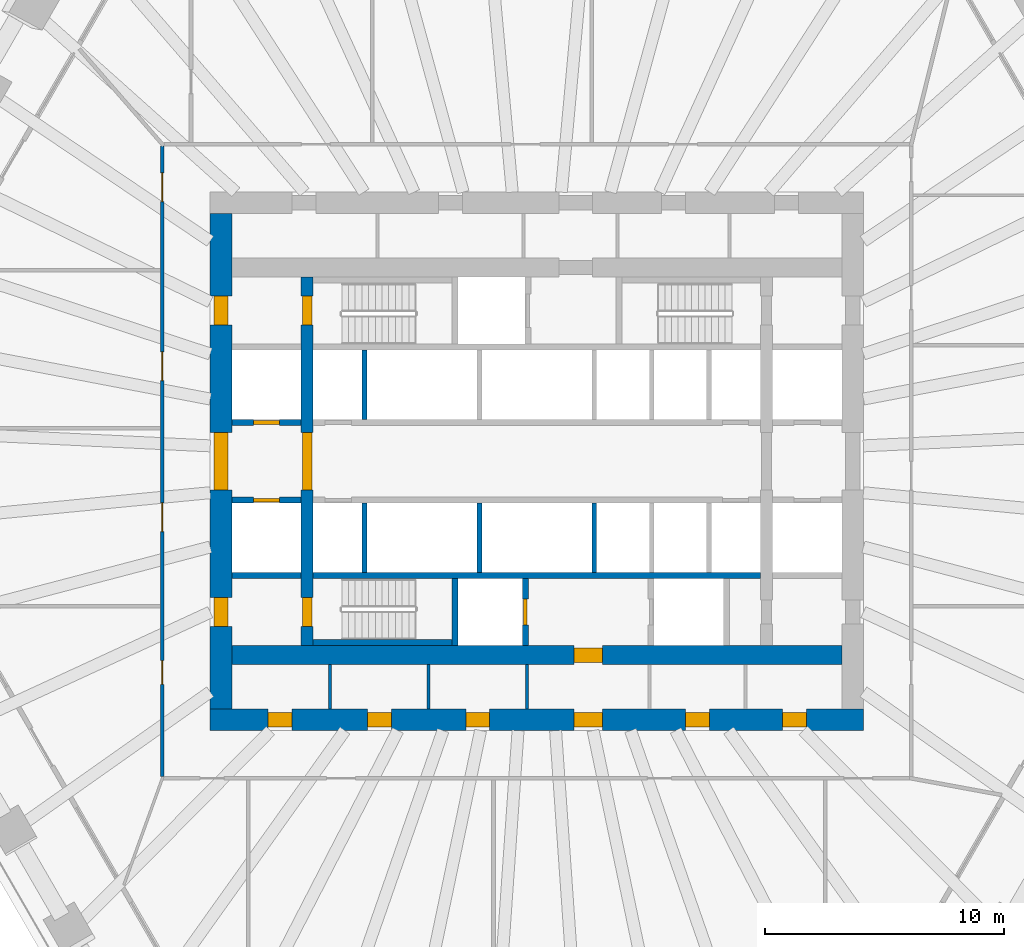
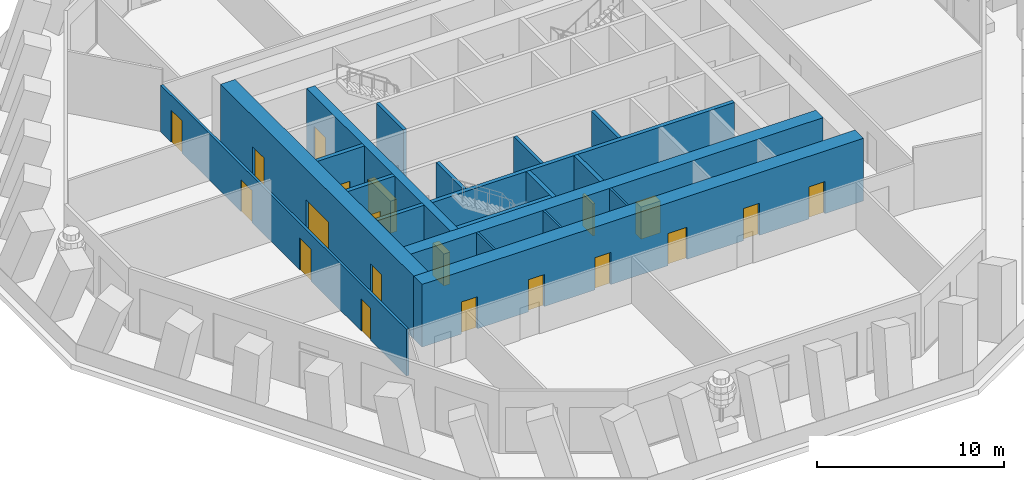
# One storey, part 4 of 11: 20 doors, 19 walls, 20 openings.
"""IFC4 building model written with IfcOpenShell, lengths in metres."""

from ifc_helpers import new_model, si_unit, direction, frame, frame_2d, origin, place, context, subcontext, project, spatial, rectangle, extrude, material, layer, layer_set, type_object, element, fill, save


model = new_model("IFC4")

# Units and contexts
model_context = context("Model", 3, precision=1e-05, world=origin(), true_north=direction((0.0, 1.0)))
body_context = subcontext(model_context, "Body", "Model", "MODEL_VIEW")
ifc_project = project(units=[si_unit("LENGTHUNIT", "METRE"), si_unit("AREAUNIT", "SQUARE_METRE"), si_unit("VOLUMEUNIT", "CUBIC_METRE"), si_unit("PLANEANGLEUNIT", "RADIAN"), si_unit("MASSUNIT", "GRAM", prefix="KILO")], contexts=[model_context])

# Site, building, storey
site_placement = place(None, origin())
site = spatial("IfcSite", under=ifc_project, at=site_placement, CompositionType="ELEMENT")
building_placement = place(site_placement, origin())
building = spatial("IfcBuilding", under=site, at=building_placement, Name="Frailejon Research Tower", CompositionType="ELEMENT")
storey_placement = place(building_placement, frame((0.0, 0.0, 67.39990234375)))
storey = spatial("IfcBuildingStorey", under=building, at=storey_placement, Name="L15", CompositionType="ELEMENT", Elevation=67.39990234375)

# Walls
ifc_material_1 = material(Name="Plasterboard on steel studs", Category="steel")
ifc_layer_1 = layer(ifc_material_1, 0.125)
ifc_layer_set_1 = layer_set([ifc_layer_1], Name="Core partition 125")
wall_type_1 = type_object("IfcWallType", Name="Core partition 125", PredefinedType="PARTITIONING", material=ifc_layer_set_1)
for number, where, z_axis, x_axis, name in (
    (1, (-8.637451171875, -10.35009765625, 0.0), (0.0, 0.0, 1.0), (0.0, 1.0, 0.0), "Core partition"),
    (2, (-4.52490234375, -10.35009765625, 0.0), (0.0, 0.0, 1.0), (0.0, 1.0, 0.0), "Core partition"),
    (3, (-0.41259765625, -10.35009765625, 0.0), (0.0, 0.0, 1.0), (0.0, 1.0, 0.0), "Core partition"),
):
    element("IfcWall", number, at=place(storey_placement, frame(where, z_axis=z_axis, x_axis=x_axis)), inside=storey, type_object=wall_type_1, Name=name, PredefinedType="PARTITIONING", context=body_context, shape_type="SweptSolid", body=[
        extrude(rectangle(XDim=1.85009765625, YDim=0.125, at=frame_2d((0.925048828125, 0.0))), origin(), (0.0, 0.0, 1.0), 4.10009765625),
    ])

# Wall, openings, doors
ifc_material_2 = material(Name="Concrete C70/85", Category="concrete")
ifc_layer_2 = layer(ifc_material_2, 0.5)
ifc_layer_set_2 = layer_set([ifc_layer_2], Name="Core shear wall 500 C70/85")
wall_type_2 = type_object("IfcWallType", Name="Core shear wall 500 C70/85", PredefinedType="SHEAR", material=ifc_layer_set_2)
wall_1_placement = place(storey_placement, frame((-9.60009765625, -7.699951171875, 0.0), z_axis=(0.0, 0.0, 1.0), x_axis=(0.0, 1.0, 0.0)))
wall_1 = element("IfcWall", 4, at=wall_1_placement, inside=storey, type_object=wall_type_2, Name="Core shear wall", PredefinedType="SHEAR", context=body_context, shape_type="SweptSolid", body=[
    extrude(rectangle(XDim=15.39990234375, YDim=0.5, at=frame_2d((7.699951171875, 0.0))), origin(), (0.0, 0.0, 1.0), 4.10009765625),
])
opening_1_placement = place(wall_1_placement, frame((6.5, 0.0, 0.0)))
opening_1 = element("IfcOpeningElement", 5, at=opening_1_placement, cuts=wall_1, Name="Opening D2", PredefinedType="OPENING", context=body_context, shape_type="SweptSolid", body=[
    extrude(rectangle(XDim=2.39990234375, YDim=2.10009765625, at=frame_2d((1.199951171875, 1.050048828125))), frame((0.0, 0.260009765625, 0.0), z_axis=(0.0, -1.0, 0.0), x_axis=(1.0, 0.0, 0.0)), (0.0, 0.0, 1.0), 0.52001953125),
])
opening_2_placement = place(wall_1_placement, frame((13.39990234375, 0.0, 0.0)))
opening_2 = element("IfcOpeningElement", 6, at=opening_2_placement, cuts=wall_1, Name="Opening D1", PredefinedType="OPENING", context=body_context, shape_type="SweptSolid", body=[
    extrude(rectangle(XDim=1.199951171875, YDim=2.10009765625, at=frame_2d((0.60009765625, 1.050048828125))), frame((0.0, 0.260009765625, 0.0), z_axis=(0.0, -1.0, 0.0), x_axis=(1.0, 0.0, 0.0)), (0.0, 0.0, 1.0), 0.52001953125),
])
opening_3_placement = place(wall_1_placement, frame((0.800048828125, 0.0, 0.0)))
opening_3 = element("IfcOpeningElement", 7, at=opening_3_placement, cuts=wall_1, Name="Opening D1", PredefinedType="OPENING", context=body_context, shape_type="SweptSolid", body=[
    extrude(rectangle(XDim=1.199951171875, YDim=2.10009765625, at=frame_2d((0.60009765625, 1.050048828125))), frame((0.0, 0.260009765625, 0.0), z_axis=(0.0, -1.0, 0.0), x_axis=(1.0, 0.0, 0.0)), (0.0, 0.0, 1.0), 0.52001953125),
])
ifc_material_3 = material(Name="Steel", Category="steel")
door_type_1 = type_object("IfcDoorType", Name="Lobby double door", OperationType="DOUBLE_DOOR_SINGLE_SWING", PredefinedType="DOOR", material=ifc_material_3)
door_1_placement = place(opening_1_placement, origin())
door_1 = element("IfcDoor", 8, at=door_1_placement, inside=storey, type_object=door_type_1, Name="Lobby door", OperationType="DOUBLE_DOOR_SINGLE_SWING", OverallHeight=2.10009765625, OverallWidth=2.39990234375, PredefinedType="DOOR", context=body_context, shape_type="SweptSolid", body=[
    extrude(rectangle(XDim=2.39990234375, YDim=2.10009765625, at=frame_2d((1.199951171875, 1.050048828125))), frame((0.0, 0.199951171875, 0.0), z_axis=(0.0, -1.0, 0.0), x_axis=(1.0, 0.0, 0.0)), (0.0, 0.0, 1.0), 0.39990234375),
])
fill(opening_1, door_1)
ifc_material_4 = material(Name="Steel", Category="steel")
door_type_2 = type_object("IfcDoorType", Name="Stair door", OperationType="SINGLE_SWING_LEFT", PredefinedType="DOOR", material=ifc_material_4)
door_2_placement = place(opening_2_placement, origin())
door_2 = element("IfcDoor", 9, at=door_2_placement, inside=storey, type_object=door_type_2, Name="Stair door ST1", OperationType="SINGLE_SWING_LEFT", OverallHeight=2.10009765625, OverallWidth=1.199951171875, PredefinedType="DOOR", context=body_context, shape_type="SweptSolid", body=[
    extrude(rectangle(XDim=1.199951171875, YDim=2.10009765625, at=frame_2d((0.60009765625, 1.050048828125))), frame((0.0, 0.199951171875, 0.0), z_axis=(0.0, -1.0, 0.0), x_axis=(1.0, 0.0, 0.0)), (0.0, 0.0, 1.0), 0.39990234375),
])
fill(opening_2, door_2)
door_3_placement = place(opening_3_placement, origin())
door_3 = element("IfcDoor", 10, at=door_3_placement, inside=storey, type_object=door_type_2, Name="Stair door ST2", OperationType="SINGLE_SWING_LEFT", OverallHeight=2.10009765625, OverallWidth=1.199951171875, PredefinedType="DOOR", context=body_context, shape_type="SweptSolid", body=[
    extrude(rectangle(XDim=1.199951171875, YDim=2.10009765625, at=frame_2d((0.60009765625, 1.050048828125))), frame((0.0, 0.199951171875, 0.0), z_axis=(0.0, -1.0, 0.0), x_axis=(1.0, 0.0, 0.0)), (0.0, 0.0, 1.0), 0.39990234375),
])
fill(opening_3, door_3)

# Wall, opening, door
ifc_material_5 = material(Name="Concrete C70/85", Category="concrete")
ifc_layer_3 = layer(ifc_material_5, 0.800048828125)
ifc_layer_set_3 = layer_set([ifc_layer_3], Name="Core shear wall 800 C70/85")
wall_type_3 = type_object("IfcWallType", Name="Core shear wall 800 C70/85", PredefinedType="SHEAR", material=ifc_layer_set_3)
wall_2_placement = place(storey_placement, frame((-12.75, -8.10009765625, 0.0), z_axis=(0.0, 0.0, 1.0), x_axis=(1.0, 0.0, 0.0)))
wall_2 = element("IfcWall", 11, at=wall_2_placement, inside=storey, type_object=wall_type_3, Name="Core shear wall", PredefinedType="SHEAR", context=body_context, shape_type="SweptSolid", body=[
    extrude(rectangle(XDim=25.5, YDim=0.800048828125, at=frame_2d((12.75, 0.0))), origin(), (0.0, 0.0, 1.0), 4.10009765625),
])
opening_4_placement = place(wall_2_placement, frame((14.300048828125, 0.0, 0.0)))
opening_4 = element("IfcOpeningElement", 12, at=opening_4_placement, cuts=wall_2, Name="Opening D3", PredefinedType="OPENING", context=body_context, shape_type="SweptSolid", body=[
    extrude(rectangle(XDim=1.199951171875, YDim=2.10009765625, at=frame_2d((0.60009765625, 1.050048828125))), frame((0.0, 0.409912109375, 0.0), z_axis=(0.0, -1.0, 0.0), x_axis=(1.0, 0.0, 0.0)), (0.0, 0.0, 1.0), 0.820068359375),
])
ifc_material_6 = material(Name="Steel", Category="steel")
door_type_3 = type_object("IfcDoorType", Name="Firefighting lobby door", OperationType="SINGLE_SWING_LEFT", PredefinedType="DOOR", material=ifc_material_6)
door_4_placement = place(opening_4_placement, origin())
door_4 = element("IfcDoor", 13, at=door_4_placement, inside=storey, type_object=door_type_3, Name="Firefighting lobby door", OperationType="SINGLE_SWING_LEFT", OverallHeight=2.10009765625, OverallWidth=1.199951171875, PredefinedType="DOOR", context=body_context, shape_type="SweptSolid", body=[
    extrude(rectangle(XDim=1.199951171875, YDim=2.10009765625, at=frame_2d((0.60009765625, 1.050048828125))), frame((0.0, 0.300048828125, 0.0), z_axis=(0.0, -1.0, 0.0), x_axis=(1.0, 0.0, 0.0)), (0.0, 0.0, 1.0), 0.60009765625),
])
fill(opening_4, door_4)

# Wall, openings, doors
ifc_material_7 = material(Name="Concrete C70/85", Category="concrete")
ifc_layer_4 = layer(ifc_material_7, 0.89990234375)
ifc_layer_set_4 = layer_set([ifc_layer_4], Name="Core shear wall 900 C70/85")
wall_type_4 = type_object("IfcWallType", Name="Core shear wall 900 C70/85", PredefinedType="SHEAR", material=ifc_layer_set_4)
wall_3_placement = place(storey_placement, frame((-13.64990234375, -10.800048828125, 0.0), z_axis=(0.0, 0.0, 1.0), x_axis=(1.0, 0.0, 0.0)))
wall_3 = element("IfcWall", 14, at=wall_3_placement, inside=storey, type_object=wall_type_4, Name="Core shear wall", PredefinedType="SHEAR", context=body_context, shape_type="SweptSolid", body=[
    extrude(rectangle(XDim=27.2998046875, YDim=0.89990234375, at=frame_2d((13.64990234375, 0.0))), origin(), (0.0, 0.0, 1.0), 4.10009765625),
])
opening_5_placement = place(wall_3_placement, frame((2.425048828125, 0.0, 0.0)))
opening_5 = element("IfcOpeningElement", 15, at=opening_5_placement, cuts=wall_3, Name="Opening D4", PredefinedType="OPENING", context=body_context, shape_type="SweptSolid", body=[
    extrude(rectangle(XDim=1.0, YDim=2.10009765625, at=frame_2d((0.5, 1.050048828125))), frame((0.0, 0.4599609375, 0.0), z_axis=(0.0, -1.0, 0.0), x_axis=(1.0, 0.0, 0.0)), (0.0, 0.0, 1.0), 0.919921875),
])
opening_6_placement = place(wall_3_placement, frame((6.568603515625, 0.0, 0.0)))
opening_6 = element("IfcOpeningElement", 16, at=opening_6_placement, cuts=wall_3, Name="Opening D4", PredefinedType="OPENING", context=body_context, shape_type="SweptSolid", body=[
    extrude(rectangle(XDim=1.0, YDim=2.10009765625, at=frame_2d((0.5, 1.050048828125))), frame((0.0, 0.4599609375, 0.0), z_axis=(0.0, -1.0, 0.0), x_axis=(1.0, 0.0, 0.0)), (0.0, 0.0, 1.0), 0.919921875),
])
opening_7_placement = place(wall_3_placement, frame((10.68115234375, 0.0, 0.0)))
opening_7 = element("IfcOpeningElement", 17, at=opening_7_placement, cuts=wall_3, Name="Opening D4", PredefinedType="OPENING", context=body_context, shape_type="SweptSolid", body=[
    extrude(rectangle(XDim=1.0, YDim=2.10009765625, at=frame_2d((0.5, 1.050048828125))), frame((0.0, 0.4599609375, 0.0), z_axis=(0.0, -1.0, 0.0), x_axis=(1.0, 0.0, 0.0)), (0.0, 0.0, 1.0), 0.919921875),
])
opening_8_placement = place(wall_3_placement, frame((19.871826171875, 0.0, 0.0)))
opening_8 = element("IfcOpeningElement", 18, at=opening_8_placement, cuts=wall_3, Name="Opening D4", PredefinedType="OPENING", context=body_context, shape_type="SweptSolid", body=[
    extrude(rectangle(XDim=1.0, YDim=2.10009765625, at=frame_2d((0.5, 1.050048828125))), frame((0.0, 0.4599609375, 0.0), z_axis=(0.0, -1.0, 0.0), x_axis=(1.0, 0.0, 0.0)), (0.0, 0.0, 1.0), 0.919921875),
])
opening_9_placement = place(wall_3_placement, frame((23.921875, 0.0, 0.0)))
opening_9 = element("IfcOpeningElement", 19, at=opening_9_placement, cuts=wall_3, Name="Opening D4", PredefinedType="OPENING", context=body_context, shape_type="SweptSolid", body=[
    extrude(rectangle(XDim=1.0, YDim=2.10009765625, at=frame_2d((0.5, 1.050048828125))), frame((0.0, 0.4599609375, 0.0), z_axis=(0.0, -1.0, 0.0), x_axis=(1.0, 0.0, 0.0)), (0.0, 0.0, 1.0), 0.919921875),
])
opening_10_placement = place(wall_3_placement, frame((15.199951171875, 0.0, 0.0)))
opening_10 = element("IfcOpeningElement", 20, at=opening_10_placement, cuts=wall_3, Name="Opening D3", PredefinedType="OPENING", context=body_context, shape_type="SweptSolid", body=[
    extrude(rectangle(XDim=1.199951171875, YDim=2.10009765625, at=frame_2d((0.60009765625, 1.050048828125))), frame((0.0, 0.4599609375, 0.0), z_axis=(0.0, -1.0, 0.0), x_axis=(1.0, 0.0, 0.0)), (0.0, 0.0, 1.0), 0.919921875),
])
door_5_placement = place(opening_10_placement, origin())
door_5 = element("IfcDoor", 21, at=door_5_placement, inside=storey, type_object=door_type_3, Name="Passage door", OperationType="SINGLE_SWING_LEFT", OverallHeight=2.10009765625, OverallWidth=1.199951171875, PredefinedType="DOOR", context=body_context, shape_type="SweptSolid", body=[
    extrude(rectangle(XDim=1.199951171875, YDim=2.10009765625, at=frame_2d((0.60009765625, 1.050048828125))), frame((0.0, 0.300048828125, 0.0), z_axis=(0.0, -1.0, 0.0), x_axis=(1.0, 0.0, 0.0)), (0.0, 0.0, 1.0), 0.60009765625),
])
fill(opening_10, door_5)
ifc_material_8 = material(Name="Steel", Category="steel")
door_type_4 = type_object("IfcDoorType", Name="Service door", OperationType="SINGLE_SWING_LEFT", PredefinedType="DOOR", material=ifc_material_8)
door_6_placement = place(opening_5_placement, origin())
door_6 = element("IfcDoor", 22, at=door_6_placement, inside=storey, type_object=door_type_4, Name="Room door", OperationType="SINGLE_SWING_RIGHT", OverallHeight=2.10009765625, OverallWidth=1.0, PredefinedType="DOOR", context=body_context, shape_type="SweptSolid", body=[
    extrude(rectangle(XDim=1.0, YDim=2.10009765625, at=frame_2d((0.5, 1.050048828125))), frame((0.0, 0.300048828125, 0.0), z_axis=(0.0, -1.0, 0.0), x_axis=(1.0, 0.0, 0.0)), (0.0, 0.0, 1.0), 0.60009765625),
])
fill(opening_5, door_6)
door_7_placement = place(opening_6_placement, origin())
door_7 = element("IfcDoor", 23, at=door_7_placement, inside=storey, type_object=door_type_4, Name="Room door", OperationType="SINGLE_SWING_LEFT", OverallHeight=2.10009765625, OverallWidth=1.0, PredefinedType="DOOR", context=body_context, shape_type="SweptSolid", body=[
    extrude(rectangle(XDim=1.0, YDim=2.10009765625, at=frame_2d((0.5, 1.050048828125))), frame((0.0, 0.300048828125, 0.0), z_axis=(0.0, -1.0, 0.0), x_axis=(1.0, 0.0, 0.0)), (0.0, 0.0, 1.0), 0.60009765625),
])
fill(opening_6, door_7)
door_8_placement = place(opening_7_placement, origin())
door_8 = element("IfcDoor", 24, at=door_8_placement, inside=storey, type_object=door_type_4, Name="Room door", OperationType="SINGLE_SWING_RIGHT", OverallHeight=2.10009765625, OverallWidth=1.0, PredefinedType="DOOR", context=body_context, shape_type="SweptSolid", body=[
    extrude(rectangle(XDim=1.0, YDim=2.10009765625, at=frame_2d((0.5, 1.050048828125))), frame((0.0, 0.300048828125, 0.0), z_axis=(0.0, -1.0, 0.0), x_axis=(1.0, 0.0, 0.0)), (0.0, 0.0, 1.0), 0.60009765625),
])
fill(opening_7, door_8)
door_9_placement = place(opening_8_placement, origin())
door_9 = element("IfcDoor", 25, at=door_9_placement, inside=storey, type_object=door_type_4, Name="Room door", OperationType="SINGLE_SWING_LEFT", OverallHeight=2.10009765625, OverallWidth=1.0, PredefinedType="DOOR", context=body_context, shape_type="SweptSolid", body=[
    extrude(rectangle(XDim=1.0, YDim=2.10009765625, at=frame_2d((0.5, 1.050048828125))), frame((0.0, 0.300048828125, 0.0), z_axis=(0.0, -1.0, 0.0), x_axis=(1.0, 0.0, 0.0)), (0.0, 0.0, 1.0), 0.60009765625),
])
fill(opening_8, door_9)
door_10_placement = place(opening_9_placement, origin())
door_10 = element("IfcDoor", 26, at=door_10_placement, inside=storey, type_object=door_type_4, Name="Room door", OperationType="SINGLE_SWING_RIGHT", OverallHeight=2.10009765625, OverallWidth=1.0, PredefinedType="DOOR", context=body_context, shape_type="SweptSolid", body=[
    extrude(rectangle(XDim=1.0, YDim=2.10009765625, at=frame_2d((0.5, 1.050048828125))), frame((0.0, 0.300048828125, 0.0), z_axis=(0.0, -1.0, 0.0), x_axis=(1.0, 0.0, 0.0)), (0.0, 0.0, 1.0), 0.60009765625),
])
fill(opening_9, door_10)

wall_4_placement = place(storey_placement, frame((-13.199951171875, -10.35009765625, 0.0), z_axis=(0.0, 0.0, 1.0), x_axis=(0.0, 1.0, 0.0)))
wall_4 = element("IfcWall", 27, at=wall_4_placement, inside=storey, type_object=wall_type_4, Name="Core shear wall", PredefinedType="SHEAR", context=body_context, shape_type="SweptSolid", body=[
    extrude(rectangle(XDim=20.7001953125, YDim=0.89990234375, at=frame_2d((10.35009765625, 0.0))), origin(), (0.0, 0.0, 1.0), 4.10009765625),
])
opening_11_placement = place(wall_4_placement, frame((9.14990234375, 0.0, 0.0)))
opening_11 = element("IfcOpeningElement", 28, at=opening_11_placement, cuts=wall_4, Name="Opening D2", PredefinedType="OPENING", context=body_context, shape_type="SweptSolid", body=[
    extrude(rectangle(XDim=2.39990234375, YDim=2.10009765625, at=frame_2d((1.199951171875, 1.050048828125))), frame((0.0, 0.4599609375, 0.0), z_axis=(0.0, -1.0, 0.0), x_axis=(1.0, 0.0, 0.0)), (0.0, 0.0, 1.0), 0.919921875),
])
opening_12_placement = place(wall_4_placement, frame((16.050048828125, 0.0, 0.0)))
opening_12 = element("IfcOpeningElement", 29, at=opening_12_placement, cuts=wall_4, Name="Opening D7", PredefinedType="OPENING", context=body_context, shape_type="SweptSolid", body=[
    extrude(rectangle(XDim=1.199951171875, YDim=2.10009765625, at=frame_2d((0.60009765625, 1.050048828125))), frame((0.0, 0.4599609375, 0.0), z_axis=(0.0, -1.0, 0.0), x_axis=(1.0, 0.0, 0.0)), (0.0, 0.0, 1.0), 0.919921875),
])
opening_13_placement = place(wall_4_placement, frame((3.449951171875, 0.0, 0.0)))
opening_13 = element("IfcOpeningElement", 30, at=opening_13_placement, cuts=wall_4, Name="Opening D7", PredefinedType="OPENING", context=body_context, shape_type="SweptSolid", body=[
    extrude(rectangle(XDim=1.199951171875, YDim=2.10009765625, at=frame_2d((0.60009765625, 1.050048828125))), frame((0.0, 0.4599609375, 0.0), z_axis=(0.0, -1.0, 0.0), x_axis=(1.0, 0.0, 0.0)), (0.0, 0.0, 1.0), 0.919921875),
])
door_11_placement = place(opening_11_placement, origin())
door_11 = element("IfcDoor", 31, at=door_11_placement, inside=storey, type_object=door_type_1, Name="Lobby door", OperationType="DOUBLE_DOOR_SINGLE_SWING", OverallHeight=2.10009765625, OverallWidth=2.39990234375, PredefinedType="DOOR", context=body_context, shape_type="SweptSolid", body=[
    extrude(rectangle(XDim=2.39990234375, YDim=2.10009765625, at=frame_2d((1.199951171875, 1.050048828125))), frame((0.0, 0.300048828125, 0.0), z_axis=(0.0, -1.0, 0.0), x_axis=(1.0, 0.0, 0.0)), (0.0, 0.0, 1.0), 0.60009765625),
])
fill(opening_11, door_11)
ifc_material_9 = material(Name="Steel", Category="steel")
door_type_5 = type_object("IfcDoorType", Name="Stair exit door", OperationType="SINGLE_SWING_LEFT", PredefinedType="DOOR", material=ifc_material_9)
door_12_placement = place(opening_12_placement, origin())
door_12 = element("IfcDoor", 32, at=door_12_placement, inside=storey, type_object=door_type_5, Name="Stair exit door ST1", OperationType="SINGLE_SWING_RIGHT", OverallHeight=2.10009765625, OverallWidth=1.199951171875, PredefinedType="DOOR", context=body_context, shape_type="SweptSolid", body=[
    extrude(rectangle(XDim=1.199951171875, YDim=2.10009765625, at=frame_2d((0.60009765625, 1.050048828125))), frame((0.0, 0.300048828125, 0.0), z_axis=(0.0, -1.0, 0.0), x_axis=(1.0, 0.0, 0.0)), (0.0, 0.0, 1.0), 0.60009765625),
])
fill(opening_12, door_12)
door_13_placement = place(opening_13_placement, origin())
door_13 = element("IfcDoor", 33, at=door_13_placement, inside=storey, type_object=door_type_5, Name="Stair exit door ST2", OperationType="SINGLE_SWING_RIGHT", OverallHeight=2.10009765625, OverallWidth=1.199951171875, PredefinedType="DOOR", context=body_context, shape_type="SweptSolid", body=[
    extrude(rectangle(XDim=1.199951171875, YDim=2.10009765625, at=frame_2d((0.60009765625, 1.050048828125))), frame((0.0, 0.300048828125, 0.0), z_axis=(0.0, -1.0, 0.0), x_axis=(1.0, 0.0, 0.0)), (0.0, 0.0, 1.0), 0.60009765625),
])
fill(opening_13, door_13)

ifc_material_10 = material(Name="Gypsum board and masonry partition", Category="masonry")
ifc_layer_5 = layer(ifc_material_10, 0.14990234375)
ifc_layer_set_5 = layer_set([ifc_layer_5], Name="Corridor wall EI 60, gypsum on steel studs 150")
wall_type_5 = type_object("IfcWallType", Name="Corridor wall EI 60, gypsum on steel studs 150", PredefinedType="PARTITIONING", material=ifc_layer_set_5)
wall_5_placement = place(storey_placement, frame((-15.64990234375, -13.175048828125, 0.0), z_axis=(0.0, 0.0, 1.0), x_axis=(0.0, 1.0, 0.0)))
wall_5 = element("IfcWall", 34, at=wall_5_placement, inside=storey, type_object=wall_type_5, Name="T:IW:L15:003", PredefinedType="PARTITIONING", context=body_context, shape_type="SweptSolid", body=[
    extrude(rectangle(XDim=26.35009765625, YDim=0.14990234375, at=frame_2d((13.175048828125, 0.0))), origin(), (0.0, 0.0, 1.0), 3.050048828125),
])
opening_14_placement = place(wall_5_placement, frame((24.03369140625, 0.0, 0.0)))
opening_14 = element("IfcOpeningElement", 35, at=opening_14_placement, cuts=wall_5, Name="Opening D1473", PredefinedType="OPENING", context=body_context, shape_type="SweptSolid", body=[
    extrude(rectangle(XDim=1.199951171875, YDim=2.10009765625, at=frame_2d((0.60009765625, 1.050048828125))), frame((0.0, 0.0849609375, 0.0), z_axis=(0.0, -1.0, 0.0), x_axis=(1.0, 0.0, 0.0)), (0.0, 0.0, 1.0), 0.169921875),
])
opening_15_placement = place(wall_5_placement, frame((16.553466796875, 0.0, 0.0)))
opening_15 = element("IfcOpeningElement", 36, at=opening_15_placement, cuts=wall_5, Name="Opening D1474", PredefinedType="OPENING", context=body_context, shape_type="SweptSolid", body=[
    extrude(rectangle(XDim=1.199951171875, YDim=2.10009765625, at=frame_2d((0.60009765625, 1.050048828125))), frame((0.0, 0.0849609375, 0.0), z_axis=(0.0, -1.0, 0.0), x_axis=(1.0, 0.0, 0.0)), (0.0, 0.0, 1.0), 0.169921875),
])
opening_16_placement = place(wall_5_placement, frame((10.241943359375, 0.0, 0.0)))
opening_16 = element("IfcOpeningElement", 37, at=opening_16_placement, cuts=wall_5, Name="Opening D1475", PredefinedType="OPENING", context=body_context, shape_type="SweptSolid", body=[
    extrude(rectangle(XDim=1.199951171875, YDim=2.10009765625, at=frame_2d((0.60009765625, 1.050048828125))), frame((0.0, 0.0849609375, 0.0), z_axis=(0.0, -1.0, 0.0), x_axis=(1.0, 0.0, 0.0)), (0.0, 0.0, 1.0), 0.169921875),
])
opening_17_placement = place(wall_5_placement, frame((3.850830078125, 0.0, 0.0)))
opening_17 = element("IfcOpeningElement", 38, at=opening_17_placement, cuts=wall_5, Name="Opening D1476", PredefinedType="OPENING", context=body_context, shape_type="SweptSolid", body=[
    extrude(rectangle(XDim=1.0, YDim=2.10009765625, at=frame_2d((0.5, 1.050048828125))), frame((0.0, 0.0849609375, 0.0), z_axis=(0.0, -1.0, 0.0), x_axis=(1.0, 0.0, 0.0)), (0.0, 0.0, 1.0), 0.169921875),
])
ifc_material_11 = material(Name="Timber door leaf", Category="wood")
door_type_6 = type_object("IfcDoorType", Name="Door laboratory, timber, vision panel 1200", OperationType="NOTDEFINED", PredefinedType="DOOR", material=ifc_material_11)
door_14_placement = place(opening_14_placement, origin())
door_14 = element("IfcDoor", 39, at=door_14_placement, inside=storey, type_object=door_type_6, Name="D1473", OperationType="DOUBLE_DOOR_SINGLE_SWING", OverallHeight=2.10009765625, OverallWidth=1.199951171875, PredefinedType="DOOR", context=body_context, shape_type="SweptSolid", body=[
    extrude(rectangle(XDim=1.199951171875, YDim=2.10009765625, at=frame_2d((0.60009765625, 1.050048828125))), frame((0.0, 0.02490234375, 0.0), z_axis=(0.0, -1.0, 0.0), x_axis=(1.0, 0.0, 0.0)), (0.0, 0.0, 1.0), 0.050048828125),
])
fill(opening_14, door_14)
door_15_placement = place(opening_15_placement, origin())
door_15 = element("IfcDoor", 40, at=door_15_placement, inside=storey, type_object=door_type_6, Name="D1474", OperationType="DOUBLE_DOOR_SINGLE_SWING", OverallHeight=2.10009765625, OverallWidth=1.199951171875, PredefinedType="DOOR", context=body_context, shape_type="SweptSolid", body=[
    extrude(rectangle(XDim=1.199951171875, YDim=2.10009765625, at=frame_2d((0.60009765625, 1.050048828125))), frame((0.0, 0.02490234375, 0.0), z_axis=(0.0, -1.0, 0.0), x_axis=(1.0, 0.0, 0.0)), (0.0, 0.0, 1.0), 0.050048828125),
])
fill(opening_15, door_15)
door_16_placement = place(opening_16_placement, origin())
door_16 = element("IfcDoor", 41, at=door_16_placement, inside=storey, type_object=door_type_6, Name="D1475", OperationType="DOUBLE_DOOR_SINGLE_SWING", OverallHeight=2.10009765625, OverallWidth=1.199951171875, PredefinedType="DOOR", context=body_context, shape_type="SweptSolid", body=[
    extrude(rectangle(XDim=1.199951171875, YDim=2.10009765625, at=frame_2d((0.60009765625, 1.050048828125))), frame((0.0, 0.02490234375, 0.0), z_axis=(0.0, -1.0, 0.0), x_axis=(1.0, 0.0, 0.0)), (0.0, 0.0, 1.0), 0.050048828125),
])
fill(opening_16, door_16)
ifc_material_12 = material(Name="Timber door leaf", Category="wood")
door_type_7 = type_object("IfcDoorType", Name="Door single leaf, timber, steel frame 1000", OperationType="NOTDEFINED", PredefinedType="DOOR", material=ifc_material_12)
door_17_placement = place(opening_17_placement, origin())
door_17 = element("IfcDoor", 42, at=door_17_placement, inside=storey, type_object=door_type_7, Name="D1476", OperationType="SINGLE_SWING_RIGHT", OverallHeight=2.10009765625, OverallWidth=1.0, PredefinedType="DOOR", context=body_context, shape_type="SweptSolid", body=[
    extrude(rectangle(XDim=1.0, YDim=2.10009765625, at=frame_2d((0.5, 1.050048828125))), frame((0.0, 0.02490234375, 0.0), z_axis=(0.0, -1.0, 0.0), x_axis=(1.0, 0.0, 0.0)), (0.0, 0.0, 1.0), 0.050048828125),
])
fill(opening_17, door_17)

# Walls
ifc_material_13 = material(Name="Concrete C70/85", Category="concrete")
ifc_layer_6 = layer(ifc_material_13, 0.199951171875)
ifc_layer_set_6 = layer_set([ifc_layer_6], Name="Shaft wall 200 C70/85")
wall_type_6 = type_object("IfcWallType", Name="Shaft wall 200 C70/85", PredefinedType="SOLIDWALL", material=ifc_layer_set_6)
for number, where, z_axis, x_axis, name in (
    (43, (-7.199951171875, 1.75, 0.0), (0.0, 0.0, 1.0), (0.0, 1.0, 0.0), "Shaft wall"),
    (44, (-7.199951171875, -4.64990234375, 0.0), (0.0, 0.0, 1.0), (0.0, 1.0, 0.0), "Shaft wall"),
    (45, (-2.39990234375, -4.64990234375, 0.0), (0.0, 0.0, 1.0), (0.0, 1.0, 0.0), "Shaft wall"),
    (46, (2.39990234375, -4.64990234375, 0.0), (0.0, 0.0, 1.0), (0.0, 1.0, 0.0), "Shaft wall"),
):
    element("IfcWall", number, at=place(storey_placement, frame(where, z_axis=z_axis, x_axis=x_axis)), inside=storey, type_object=wall_type_6, Name=name, PredefinedType="SOLIDWALL", context=body_context, shape_type="SweptSolid", body=[
        extrude(rectangle(XDim=2.89990234375, YDim=0.199951171875, at=frame_2d((1.449951171875, 0.0))), origin(), (0.0, 0.0, 1.0), 4.10009765625),
    ])

# Wall, opening, door
ifc_material_14 = material(Name="Concrete C70/85", Category="concrete")
ifc_layer_7 = layer(ifc_material_14, 0.25)
ifc_layer_set_7 = layer_set([ifc_layer_7], Name="Shaft wall 250 C70/85")
wall_type_7 = type_object("IfcWallType", Name="Shaft wall 250 C70/85", PredefinedType="SOLIDWALL", material=ifc_layer_set_7)
wall_6_placement = place(storey_placement, frame((-12.75, 1.625, 0.0), z_axis=(0.0, 0.0, 1.0), x_axis=(1.0, 0.0, 0.0)))
wall_6 = element("IfcWall", 47, at=wall_6_placement, inside=storey, type_object=wall_type_7, Name="Shaft wall", PredefinedType="SOLIDWALL", context=body_context, shape_type="SweptSolid", body=[
    extrude(rectangle(XDim=2.89990234375, YDim=0.25, at=frame_2d((1.449951171875, 0.0))), origin(), (0.0, 0.0, 1.0), 4.10009765625),
])
opening_18_placement = place(wall_6_placement, frame((0.89990234375, 0.0, 0.0)))
opening_18 = element("IfcOpeningElement", 48, at=opening_18_placement, cuts=wall_6, Name="Opening LD", PredefinedType="OPENING", context=body_context, shape_type="SweptSolid", body=[
    extrude(rectangle(XDim=1.10009765625, YDim=2.10009765625, at=frame_2d((0.550048828125, 1.050048828125))), frame((0.0, 0.135009765625, 0.0), z_axis=(0.0, -1.0, 0.0), x_axis=(1.0, 0.0, 0.0)), (0.0, 0.0, 1.0), 0.27001953125),
])
ifc_material_15 = material(Name="Steel", Category="steel")
door_type_8 = type_object("IfcDoorType", Name="Lift landing door", OperationType="DOUBLE_DOOR_SLIDING", PredefinedType="DOOR", material=ifc_material_15)
door_18_placement = place(opening_18_placement, origin())
door_18 = element("IfcDoor", 49, at=door_18_placement, inside=storey, type_object=door_type_8, Name="Lift landing door", OperationType="DOUBLE_DOOR_SLIDING", OverallHeight=2.10009765625, OverallWidth=1.10009765625, PredefinedType="DOOR", context=body_context, shape_type="SweptSolid", body=[
    extrude(rectangle(XDim=1.10009765625, YDim=2.10009765625, at=frame_2d((0.550048828125, 1.050048828125))), frame((0.0, 0.074951171875, 0.0), z_axis=(0.0, -1.0, 0.0), x_axis=(1.0, 0.0, 0.0)), (0.0, 0.0, 1.0), 0.14990234375),
])
fill(opening_18, door_18)

wall_7_placement = place(storey_placement, frame((-12.75, -1.625, 0.0), z_axis=(0.0, 0.0, 1.0), x_axis=(1.0, 0.0, 0.0)))
wall_7 = element("IfcWall", 50, at=wall_7_placement, inside=storey, type_object=wall_type_7, Name="Shaft wall", PredefinedType="SOLIDWALL", context=body_context, shape_type="SweptSolid", body=[
    extrude(rectangle(XDim=2.89990234375, YDim=0.25, at=frame_2d((1.449951171875, 0.0))), origin(), (0.0, 0.0, 1.0), 4.10009765625),
])
opening_19_placement = place(wall_7_placement, frame((0.89990234375, 0.0, 0.0)))
opening_19 = element("IfcOpeningElement", 51, at=opening_19_placement, cuts=wall_7, Name="Opening LD", PredefinedType="OPENING", context=body_context, shape_type="SweptSolid", body=[
    extrude(rectangle(XDim=1.10009765625, YDim=2.10009765625, at=frame_2d((0.550048828125, 1.050048828125))), frame((0.0, 0.135009765625, 0.0), z_axis=(0.0, -1.0, 0.0), x_axis=(1.0, 0.0, 0.0)), (0.0, 0.0, 1.0), 0.27001953125),
])
door_19_placement = place(opening_19_placement, origin())
door_19 = element("IfcDoor", 52, at=door_19_placement, inside=storey, type_object=door_type_8, Name="Lift landing door", OperationType="DOUBLE_DOOR_SLIDING", OverallHeight=2.10009765625, OverallWidth=1.10009765625, PredefinedType="DOOR", context=body_context, shape_type="SweptSolid", body=[
    extrude(rectangle(XDim=1.10009765625, YDim=2.10009765625, at=frame_2d((0.550048828125, 1.050048828125))), frame((0.0, 0.074951171875, 0.0), z_axis=(0.0, -1.0, 0.0), x_axis=(1.0, 0.0, 0.0)), (0.0, 0.0, 1.0), 0.14990234375),
])
fill(opening_19, door_19)

# Walls
wall_8_placement = place(storey_placement, frame((-12.75, -4.77490234375, 0.0), z_axis=(0.0, 0.0, 1.0), x_axis=(1.0, 0.0, 0.0)))
element("IfcWall", 53, at=wall_8_placement, inside=storey, type_object=wall_type_7, Name="Shaft wall", PredefinedType="SOLIDWALL", context=body_context, shape_type="SweptSolid", body=[
    extrude(rectangle(XDim=2.89990234375, YDim=0.25, at=frame_2d((1.449951171875, 0.0))), origin(), (0.0, 0.0, 1.0), 4.10009765625),
])
wall_9_placement = place(storey_placement, frame((-9.35009765625, -4.77490234375, 0.0), z_axis=(0.0, 0.0, 1.0), x_axis=(1.0, 0.0, 0.0)))
element("IfcWall", 54, at=wall_9_placement, inside=storey, type_object=wall_type_7, Name="Shaft wall", PredefinedType="SOLIDWALL", context=body_context, shape_type="SweptSolid", body=[
    extrude(rectangle(XDim=18.7001953125, YDim=0.25, at=frame_2d((9.35009765625, 0.0))), origin(), (0.0, 0.0, 1.0), 4.10009765625),
])
wall_10_placement = place(storey_placement, frame((-9.35009765625, -7.574951171875, 0.0), z_axis=(0.0, 0.0, 1.0), x_axis=(1.0, 0.0, 0.0)))
element("IfcWall", 55, at=wall_10_placement, inside=storey, type_object=wall_type_7, Name="Shaft wall", PredefinedType="SOLIDWALL", context=body_context, shape_type="SweptSolid", body=[
    extrude(rectangle(XDim=5.800048828125, YDim=0.25, at=frame_2d((2.89990234375, 0.0))), origin(), (0.0, 0.0, 1.0), 4.10009765625),
])
wall_11_placement = place(storey_placement, frame((-3.425048828125, -7.699951171875, 0.0), z_axis=(0.0, 0.0, 1.0), x_axis=(0.0, 1.0, 0.0)))
element("IfcWall", 56, at=wall_11_placement, inside=storey, type_object=wall_type_7, Name="Shaft wall", PredefinedType="SOLIDWALL", context=body_context, shape_type="SweptSolid", body=[
    extrude(rectangle(XDim=2.800048828125, YDim=0.25, at=frame_2d((1.39990234375, 0.0))), origin(), (0.0, 0.0, 1.0), 4.10009765625),
])

# Wall, opening, door
wall_12_placement = place(storey_placement, frame((-0.47509765625, -7.699951171875, 0.0), z_axis=(0.0, 0.0, 1.0), x_axis=(0.0, 1.0, 0.0)))
wall_12 = element("IfcWall", 57, at=wall_12_placement, inside=storey, type_object=wall_type_7, Name="Shaft wall", PredefinedType="SOLIDWALL", context=body_context, shape_type="SweptSolid", body=[
    extrude(rectangle(XDim=2.800048828125, YDim=0.25, at=frame_2d((1.39990234375, 0.0))), origin(), (0.0, 0.0, 1.0), 4.10009765625),
])
opening_20_placement = place(wall_12_placement, frame((0.85009765625, 0.0, 0.0)))
opening_20 = element("IfcOpeningElement", 58, at=opening_20_placement, cuts=wall_12, Name="Opening LD", PredefinedType="OPENING", context=body_context, shape_type="SweptSolid", body=[
    extrude(rectangle(XDim=1.10009765625, YDim=2.10009765625, at=frame_2d((0.550048828125, 1.050048828125))), frame((0.0, 0.135009765625, 0.0), z_axis=(0.0, -1.0, 0.0), x_axis=(1.0, 0.0, 0.0)), (0.0, 0.0, 1.0), 0.27001953125),
])
door_20_placement = place(opening_20_placement, origin())
door_20 = element("IfcDoor", 59, at=door_20_placement, inside=storey, type_object=door_type_8, Name="Lift landing door", OperationType="DOUBLE_DOOR_SLIDING", OverallHeight=2.10009765625, OverallWidth=1.10009765625, PredefinedType="DOOR", context=body_context, shape_type="SweptSolid", body=[
    extrude(rectangle(XDim=1.10009765625, YDim=2.10009765625, at=frame_2d((0.550048828125, 1.050048828125))), frame((0.0, 0.074951171875, 0.0), z_axis=(0.0, -1.0, 0.0), x_axis=(1.0, 0.0, 0.0)), (0.0, 0.0, 1.0), 0.14990234375),
])
fill(opening_20, door_20)

save(model, "model.ifc")
